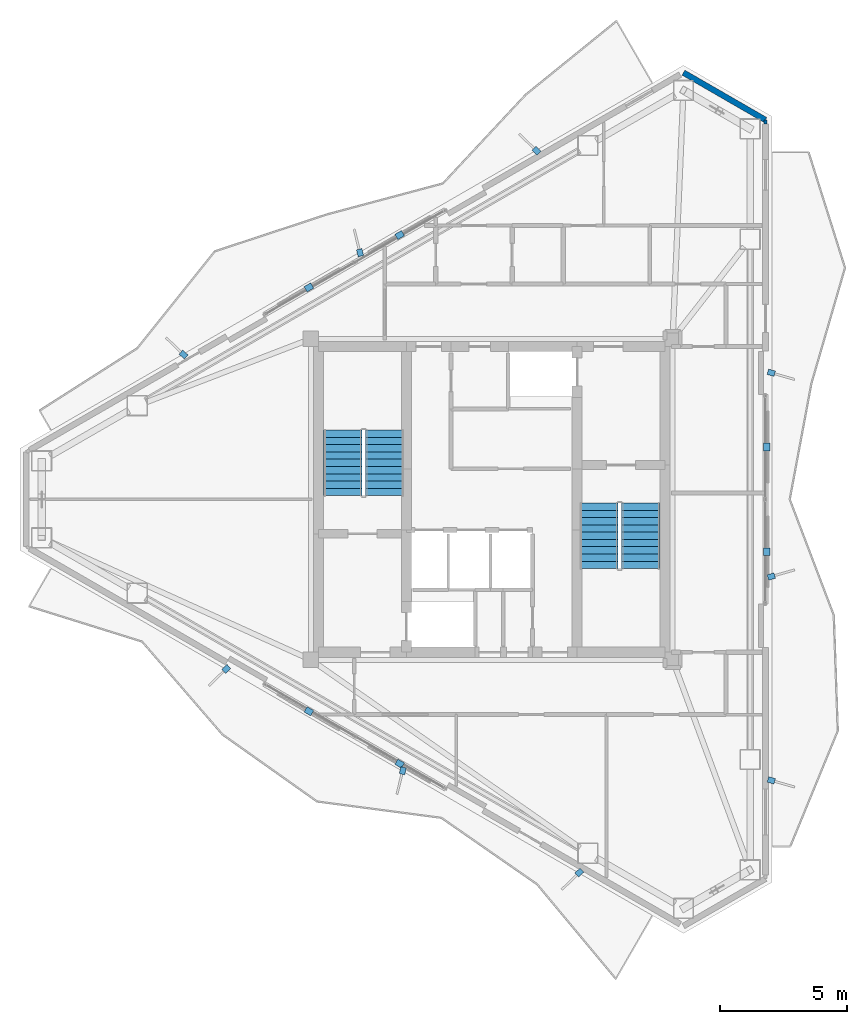
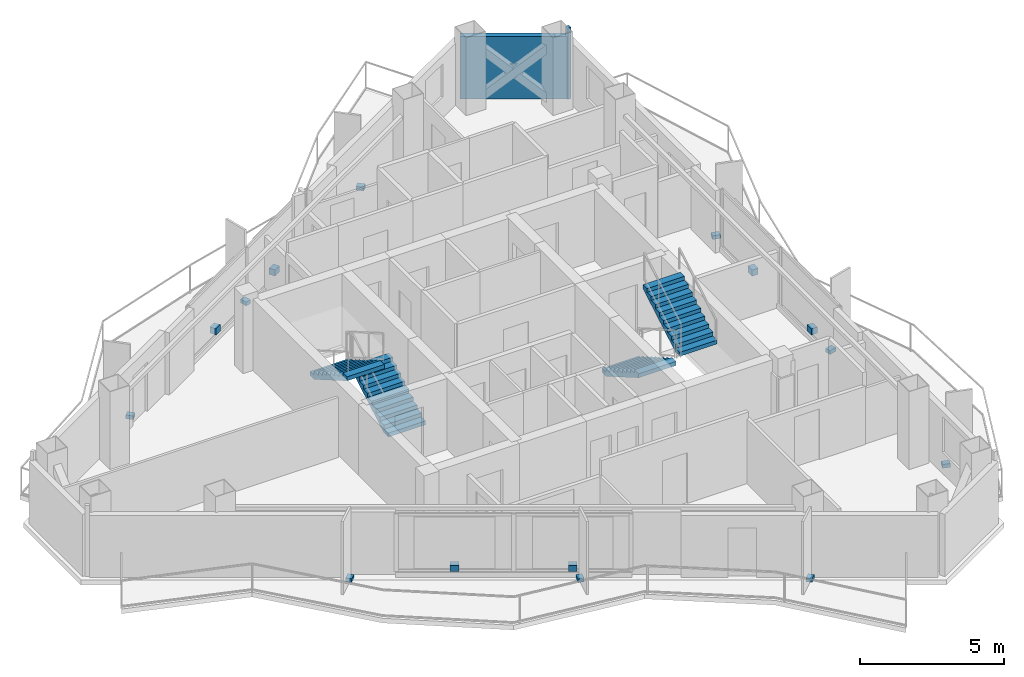
# One storey, part 17 of 18: 15 discrete accessories, 4 stair flights, 2 walls, 2 elements without a shape of their own.
"""IFC4 building model written with IfcOpenShell, lengths in metres."""

from ifc_helpers import new_model, si_unit, direction, frame, frame_2d, origin, origin_2d, place, context, subcontext, project, spatial, polyline, rectangle, outline, extrude, material, layer, layer_set, type_object, element, aggregate, save


model = new_model("IFC4")

# Units and contexts
model_context = context("Model", 3, precision=1e-05, world=origin(), true_north=direction((0.0, 1.0)))
body_context = subcontext(model_context, "Body", "Model", "MODEL_VIEW")
ifc_project = project(units=[si_unit("LENGTHUNIT", "METRE"), si_unit("AREAUNIT", "SQUARE_METRE"), si_unit("VOLUMEUNIT", "CUBIC_METRE"), si_unit("PLANEANGLEUNIT", "RADIAN"), si_unit("MASSUNIT", "GRAM", prefix="KILO")], contexts=[model_context])

# Site, building, storey
site_placement = place(None, origin())
site = spatial("IfcSite", under=ifc_project, at=site_placement, CompositionType="ELEMENT")
building_placement = place(site_placement, origin())
building = spatial("IfcBuilding", under=site, at=building_placement, Name="Mersakhor Tower and Convention Hall", CompositionType="ELEMENT")
storey_placement = place(building_placement, frame((0.0, 0.0, 246.300048828125)))
storey = spatial("IfcBuildingStorey", under=building, at=storey_placement, Name="L69", CompositionType="ELEMENT", Elevation=246.300048828125)

# Walls
ifc_material_1 = material(Name="Precast concrete C40/50", Category="concrete")
ifc_layer_1 = layer(ifc_material_1, 0.22509765625)
ifc_layer_set_1 = layer_set([ifc_layer_1], Name="Precast concrete C40/50")
wall_type_1 = type_object("IfcWallType", Name="WL-EXT-225", PredefinedType="SOLIDWALL", material=ifc_layer_set_1)
wall_1_placement = place(storey_placement, frame((36.525146484375, 43.49951171875, 0.0), z_axis=(0.0, 0.0, 1.0), x_axis=(0.866038962515, -0.499976514854, 0.0)))
element("IfcWall", 1, at=wall_1_placement, inside=storey, type_object=wall_type_1, Name="L69 Chamfer Braced Spandrel Wall C1", PredefinedType="SOLIDWALL", context=body_context, shape_type="SweptSolid", body=[
    extrude(rectangle(XDim=3.715576171875, YDim=0.22509765625, at=frame_2d((1.85791015625, 0.0))), origin(), (0.0, 0.0, 1.0), 2.639892578125),
])
ifc_material_2 = material(Name="Gypsum board acoustic partition", Category="other")
ifc_layer_2 = layer(ifc_material_2, 0.125)
ifc_layer_set_2 = layer_set([ifc_layer_2], Name="Gypsum board acoustic partition")
wall_type_2 = type_object("IfcWallType", Name="WL-PRT-125", PredefinedType="PARTITIONING", material=ifc_layer_set_2)
wall_2_placement = place(storey_placement, frame((39.742919921875, 41.64208984375, 0.0), z_axis=(0.0, 0.0, 1.0), x_axis=(0.0, -1.0, 0.0)))
element("IfcWall", 2, at=wall_2_placement, inside=storey, type_object=wall_type_2, Name="L69 Interior Partition Wall P-065", PredefinedType="PARTITIONING", context=body_context, shape_type="SweptSolid", body=[
    extrude(rectangle(XDim=0.150390625, YDim=0.125, at=frame_2d((0.0751953125, 0.0))), origin(), (0.0, 0.0, 1.0), 3.02001953125),
])

# Stair, stair flights
ifc_material_3 = material(Name="Concrete C45/55", Category="concrete")
stair_type = type_object("IfcStairType", Name="ST-TWR-20R", PredefinedType="HALF_TURN_STAIR", material=ifc_material_3)
stair_1_placement = place(storey_placement, origin())
stair_1 = element("IfcStair", 3, at=stair_1_placement, inside=storey, type_object=stair_type, Name="L69 Tower Protected Exit Stair ST-1", PredefinedType="HALF_TURN_STAIR")
ifc_material_4 = material(Name="Concrete C45/55", Category="concrete")
stair_flight_type = type_object("IfcStairFlightType", Name="SFL-TWR-20R", PredefinedType="STRAIGHT", material=ifc_material_4)
stair_flight_1_placement = place(storey_placement, frame((24.800048828125, 26.89990234375, 0.0), z_axis=(0.0, 0.0, 1.0), x_axis=(0.0, 1.0, 0.0)))
stair_flight_1 = element("IfcStairFlight", 4, at=stair_flight_1_placement, type_object=stair_flight_type, Name="ST-1 flight 1", NumberOfRisers=10, NumberOfTreads=9, PredefinedType="STRAIGHT", RiserHeight=0.165, TreadLength=0.285, context=body_context, shape_type="SweptSolid", body=[
    extrude(outline(polyline([(0.0, 0.0), (0.0, 0.1650390625), (0.284912109375, 0.1650390625), (0.284912109375, 0.330078125), (0.570068359375, 0.330078125), (0.570068359375, 0.4951171875), (0.85498046875, 0.4951171875), (0.85498046875, 0.659912109375), (1.139892578125, 0.659912109375), (1.139892578125, 0.824951171875), (1.425048828125, 0.824951171875), (1.425048828125, 0.989990234375), (1.7099609375, 0.989990234375), (1.7099609375, 1.155029296875), (1.9951171875, 1.155029296875), (1.9951171875, 1.320068359375), (2.280029296875, 1.320068359375), (2.280029296875, 1.485107421875), (2.56494140625, 1.485107421875), (2.56494140625, 1.64990234375), (2.56494140625, 1.311767578125), (0.299072265625, 0.0), (0.0, 0.0)])), frame((0.0, 0.75, 0.0), z_axis=(0.0, -1.0, 0.0), x_axis=(1.0, 0.0, 0.0)), (0.0, 0.0, 1.0), 1.5),
])
stair_flight_2_placement = place(storey_placement, frame((23.14990234375, 29.465087890625, 1.64990234375), z_axis=(0.0, 0.0, 1.0), x_axis=(0.0, -1.0, 0.0)))
stair_flight_2 = element("IfcStairFlight", 5, at=stair_flight_2_placement, type_object=stair_flight_type, Name="ST-1 flight 2", NumberOfRisers=10, NumberOfTreads=9, PredefinedType="STRAIGHT", RiserHeight=0.165, TreadLength=0.285, context=body_context, shape_type="SweptSolid", body=[
    extrude(outline(polyline([(0.0, 0.0), (0.0, 0.1650390625), (0.284912109375, 0.1650390625), (0.284912109375, 0.330078125), (0.570068359375, 0.330078125), (0.570068359375, 0.4951171875), (0.85498046875, 0.4951171875), (0.85498046875, 0.659912109375), (1.139892578125, 0.659912109375), (1.139892578125, 0.824951171875), (1.425048828125, 0.824951171875), (1.425048828125, 0.989990234375), (1.7099609375, 0.989990234375), (1.7099609375, 1.155029296875), (1.9951171875, 1.155029296875), (1.9951171875, 1.320068359375), (2.280029296875, 1.320068359375), (2.280029296875, 1.485107421875), (2.56494140625, 1.485107421875), (2.56494140625, 1.64990234375), (2.56494140625, 1.311767578125), (0.299072265625, 0.0), (0.0, 0.0)])), frame((0.0, 0.75, 0.0), z_axis=(0.0, -1.0, 0.0), x_axis=(1.0, 0.0, 0.0)), (0.0, 0.0, 1.0), 1.5),
])
aggregate(stair_1, [stair_flight_1, stair_flight_2])

stair_2_placement = place(storey_placement, origin())
stair_2 = element("IfcStair", 6, at=stair_2_placement, inside=storey, type_object=stair_type, Name="L69 Tower Protected Exit Stair ST-2", PredefinedType="HALF_TURN_STAIR")
stair_flight_3_placement = place(storey_placement, frame((33.199951171875, 26.60009765625, 0.0), z_axis=(0.0, 0.0, 1.0), x_axis=(0.0, -1.0, 0.0)))
stair_flight_3 = element("IfcStairFlight", 7, at=stair_flight_3_placement, type_object=stair_flight_type, Name="ST-2 flight 1", NumberOfRisers=10, NumberOfTreads=9, PredefinedType="STRAIGHT", RiserHeight=0.165, TreadLength=0.285, context=body_context, shape_type="SweptSolid", body=[
    extrude(outline(polyline([(0.0, 0.0), (0.0, 0.1650390625), (0.284912109375, 0.1650390625), (0.284912109375, 0.330078125), (0.570068359375, 0.330078125), (0.570068359375, 0.4951171875), (0.85498046875, 0.4951171875), (0.85498046875, 0.659912109375), (1.139892578125, 0.659912109375), (1.139892578125, 0.824951171875), (1.425048828125, 0.824951171875), (1.425048828125, 0.989990234375), (1.7099609375, 0.989990234375), (1.7099609375, 1.155029296875), (1.9951171875, 1.155029296875), (1.9951171875, 1.320068359375), (2.280029296875, 1.320068359375), (2.280029296875, 1.485107421875), (2.56494140625, 1.485107421875), (2.56494140625, 1.64990234375), (2.56494140625, 1.311767578125), (0.299072265625, 0.0), (0.0, 0.0)])), frame((0.0, 0.75, 0.0), z_axis=(0.0, -1.0, 0.0), x_axis=(1.0, 0.0, 0.0)), (0.0, 0.0, 1.0), 1.5),
])
stair_flight_4_placement = place(storey_placement, frame((34.85009765625, 24.034912109375, 1.64990234375), z_axis=(0.0, 0.0, 1.0), x_axis=(0.0, 1.0, 0.0)))
stair_flight_4 = element("IfcStairFlight", 8, at=stair_flight_4_placement, type_object=stair_flight_type, Name="ST-2 flight 2", NumberOfRisers=10, NumberOfTreads=9, PredefinedType="STRAIGHT", RiserHeight=0.165, TreadLength=0.285, context=body_context, shape_type="SweptSolid", body=[
    extrude(outline(polyline([(0.0, 0.0), (0.0, 0.1650390625), (0.284912109375, 0.1650390625), (0.284912109375, 0.330078125), (0.570068359375, 0.330078125), (0.570068359375, 0.4951171875), (0.85498046875, 0.4951171875), (0.85498046875, 0.659912109375), (1.139892578125, 0.659912109375), (1.139892578125, 0.824951171875), (1.425048828125, 0.824951171875), (1.425048828125, 0.989990234375), (1.7099609375, 0.989990234375), (1.7099609375, 1.155029296875), (1.9951171875, 1.155029296875), (1.9951171875, 1.320068359375), (2.280029296875, 1.320068359375), (2.280029296875, 1.485107421875), (2.56494140625, 1.485107421875), (2.56494140625, 1.64990234375), (2.56494140625, 1.311767578125), (0.299072265625, 0.0), (0.0, 0.0)])), frame((0.0, 0.75, 0.0), z_axis=(0.0, -1.0, 0.0), x_axis=(1.0, 0.0, 0.0)), (0.0, 0.0, 1.0), 1.5),
])
aggregate(stair_2, [stair_flight_3, stair_flight_4])

# Discrete accessories
ifc_material_5 = material(Name="Galvanised steel bracket", Category="steel")
ifc_layer_3 = layer(ifc_material_5, 0.02001953125)
ifc_layer_set_3 = layer_set([ifc_layer_3], Name="Galvanised steel bracket")
discrete_accessory_type = type_object("IfcDiscreteAccessoryType", Name="ACC-BRK-STL", PredefinedType="BRACKET", material=ifc_layer_set_3)
for number, where, z_axis, x_axis, name in (
    (9, (21.822265625, 35.068359375, 0.2900390625), (0.0, 0.0, 1.0), (0.866025403784, 0.5, 0.0), "L69 Solar Screen Outrigger Bracket BRK-1-1"),
    (10, (25.385009765625, 37.125244140625, 0.2900390625), (0.0, 0.0, 1.0), (0.866025403784, 0.5, 0.0), "L69 Solar Screen Outrigger Bracket BRK-1-2"),
):
    element("IfcDiscreteAccessory", number, at=place(storey_placement, frame(where, z_axis=z_axis, x_axis=x_axis)), inside=storey, type_object=discrete_accessory_type, Name=name, PredefinedType="BRACKET", context=body_context, shape_type="SweptSolid", body=[
        extrude(rectangle(XDim=0.300048828125, YDim=0.239990234375, at=origin_2d()), origin(), (0.0, 0.0, 1.0), 0.260009765625),
    ])
for number, where, z_axis, x_axis, name in (
    (11, (16.900634765625, 32.434814453125, -0.02001953125), (0.0, 0.0, 1.0), (-0.719339800339, 0.694658370459, 0.0), "L69 Facade Fin Base Cleat Bracket FBRK-1-1"),
    (12, (23.828857421875, 36.434814453125, -0.02001953125), (0.0, 0.0, 1.0), (-0.2419218956, 0.970295726276, 0.0), "L69 Facade Fin Base Cleat Bracket FBRK-1-2"),
    (13, (30.757080078125, 40.434814453125, -0.02001953125), (0.0, 0.0, 1.0), (-0.719339800339, 0.694658370459, 0.0), "L69 Facade Fin Base Cleat Bracket FBRK-1-3"),
):
    element("IfcDiscreteAccessory", number, at=place(storey_placement, frame(where, z_axis=z_axis, x_axis=x_axis)), inside=storey, type_object=discrete_accessory_type, Name=name, PredefinedType="BRACKET", context=body_context, shape_type="SweptSolid", body=[
        extrude(rectangle(XDim=0.280029296875, YDim=0.219970703125, at=origin_2d()), origin(), (0.0, 0.0, 1.0), 0.159912109375),
    ])
for number, where, z_axis, x_axis, name in (
    (14, (39.792724609375, 28.806884765625, 0.2900390625), (0.0, 0.0, 1.0), (0.0, -1.0, 0.0), "L69 Solar Screen Outrigger Bracket BRK-2-1"),
    (15, (39.792724609375, 24.693115234375, 0.2900390625), (0.0, 0.0, 1.0), (0.0, -1.0, 0.0), "L69 Solar Screen Outrigger Bracket BRK-2-2"),
):
    element("IfcDiscreteAccessory", number, at=place(storey_placement, frame(where, z_axis=z_axis, x_axis=x_axis)), inside=storey, type_object=discrete_accessory_type, Name=name, PredefinedType="BRACKET", context=body_context, shape_type="SweptSolid", body=[
        extrude(rectangle(XDim=0.300048828125, YDim=0.239990234375, at=origin_2d()), origin(), (0.0, 0.0, 1.0), 0.260009765625),
    ])
for number, where, z_axis, x_axis, name in (
    (16, (39.972900390625, 31.719482421875, -0.02001953125), (0.0, 0.0, 1.0), (0.961261695938, -0.275637355817, 0.0), "L69 Facade Fin Base Cleat Bracket FBRK-2-1"),
    (17, (39.972900390625, 23.719482421875, -0.02001953125), (0.0, 0.0, 1.0), (0.961261695938, 0.275637355817, 0.0), "L69 Facade Fin Base Cleat Bracket FBRK-2-2"),
    (18, (39.972900390625, 15.719482421875, -0.02001953125), (0.0, 0.0, 1.0), (0.961261695938, -0.275637355817, 0.0), "L69 Facade Fin Base Cleat Bracket FBRK-2-3"),
):
    element("IfcDiscreteAccessory", number, at=place(storey_placement, frame(where, z_axis=z_axis, x_axis=x_axis)), inside=storey, type_object=discrete_accessory_type, Name=name, PredefinedType="BRACKET", context=body_context, shape_type="SweptSolid", body=[
        extrude(rectangle(XDim=0.280029296875, YDim=0.219970703125, at=origin_2d()), origin(), (0.0, 0.0, 1.0), 0.159912109375),
    ])
for number, where, z_axis, x_axis, name in (
    (19, (25.385009765625, 16.374755859375, 0.2900390625), (0.0, 0.0, 1.0), (-0.866025403784, 0.5, 0.0), "L69 Solar Screen Outrigger Bracket BRK-3-1"),
    (20, (21.822265625, 18.431640625, 0.2900390625), (0.0, 0.0, 1.0), (-0.866025403784, 0.5, 0.0), "L69 Solar Screen Outrigger Bracket BRK-3-2"),
):
    element("IfcDiscreteAccessory", number, at=place(storey_placement, frame(where, z_axis=z_axis, x_axis=x_axis)), inside=storey, type_object=discrete_accessory_type, Name=name, PredefinedType="BRACKET", context=body_context, shape_type="SweptSolid", body=[
        extrude(rectangle(XDim=0.300048828125, YDim=0.239990234375, at=origin_2d()), origin(), (0.0, 0.0, 1.0), 0.260009765625),
    ])
for number, where, z_axis, x_axis, name in (
    (21, (32.43603515625, 12.095947265625, -0.02001953125), (0.0, 0.0, 1.0), (-0.719339800339, -0.694658370459, 0.0), "L69 Facade Fin Base Cleat Bracket FBRK-3-1"),
    (22, (25.5078125, 16.095947265625, -0.02001953125), (0.0, 0.0, 1.0), (-0.2419218956, -0.970295726276, 0.0), "L69 Facade Fin Base Cleat Bracket FBRK-3-2"),
    (23, (18.57958984375, 20.095947265625, -0.02001953125), (0.0, 0.0, 1.0), (-0.719339800339, -0.694658370459, 0.0), "L69 Facade Fin Base Cleat Bracket FBRK-3-3"),
):
    element("IfcDiscreteAccessory", number, at=place(storey_placement, frame(where, z_axis=z_axis, x_axis=x_axis)), inside=storey, type_object=discrete_accessory_type, Name=name, PredefinedType="BRACKET", context=body_context, shape_type="SweptSolid", body=[
        extrude(rectangle(XDim=0.280029296875, YDim=0.219970703125, at=origin_2d()), origin(), (0.0, 0.0, 1.0), 0.159912109375),
    ])

save(model, "model.ifc")
